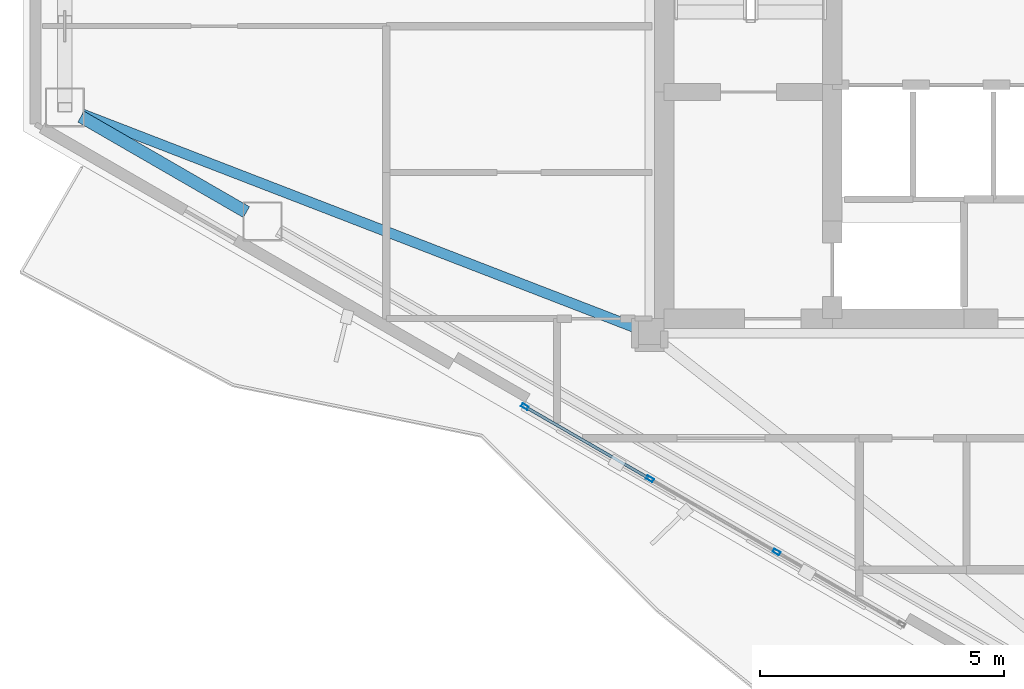
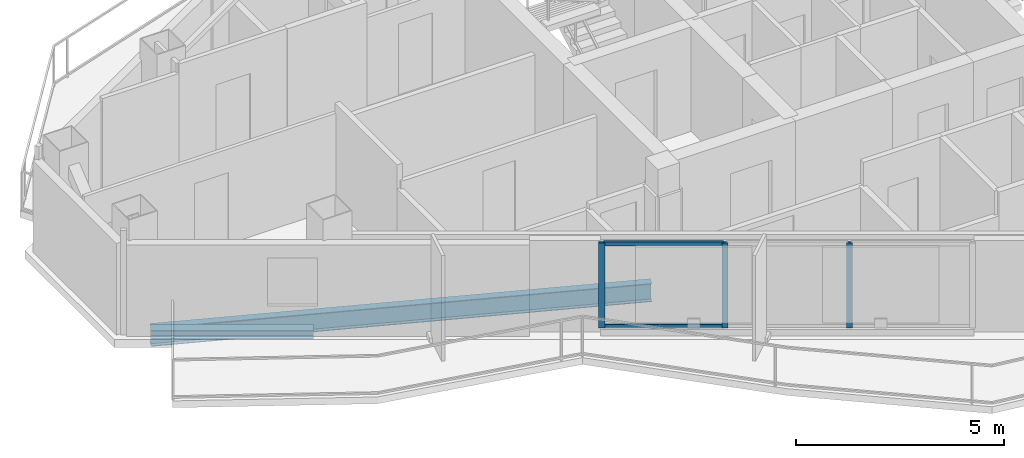
# One storey, part 2 of 22: 5 members, 2 beams, 1 element without a shape of its own.
"""IFC4 building model written with IfcOpenShell, lengths in metres."""

from ifc_helpers import new_model, si_unit, direction, frame, origin, origin_2d, place, context, subcontext, project, spatial, hollow_rectangle, i_section, extrude, material, layer, layer_set, material_profile, profile_set, type_object, element, aggregate, save


model = new_model("IFC4")

# Units and contexts
model_context = context("Model", 3, precision=1e-05, world=origin(), true_north=direction((0.0, 1.0)))
body_context = subcontext(model_context, "Body", "Model", "MODEL_VIEW")
ifc_project = project(units=[si_unit("LENGTHUNIT", "METRE"), si_unit("AREAUNIT", "SQUARE_METRE"), si_unit("VOLUMEUNIT", "CUBIC_METRE"), si_unit("PLANEANGLEUNIT", "RADIAN"), si_unit("MASSUNIT", "GRAM", prefix="KILO")], contexts=[model_context])

# Site, building, storey
site_placement = place(None, origin())
site = spatial("IfcSite", under=ifc_project, at=site_placement, CompositionType="ELEMENT")
building_placement = place(site_placement, origin())
building = spatial("IfcBuilding", under=site, at=building_placement, Name="Mersakhor Tower and Convention Hall", CompositionType="ELEMENT")
storey_placement = place(building_placement, frame((0.0, 0.0, 198.60009765625)))
storey = spatial("IfcBuildingStorey", under=building, at=storey_placement, Name="L55", CompositionType="ELEMENT", Elevation=198.60009765625)

# Beams
ifc_material_1 = material(Name="Steel S355", Category="steel")
ifc_material_profile_1 = material_profile(ifc_material_1, i_section(OverallWidth=0.2099609375, OverallDepth=0.53662109375, WebThickness=0.0107421875, FlangeThickness=0.017333984375, at=origin_2d()), Name="UB 533x210x101")
ifc_profile_set_1 = profile_set([ifc_material_profile_1], Name="Steel S355")
beam_type_1 = type_object("IfcBeamType", Name="BM-FB-533", PredefinedType="BEAM", material=ifc_profile_set_1)
beam_1_placement = place(storey_placement, frame((21.638916015625, 20.55078125, -0.498291015625), z_axis=(-0.932761425449, 0.36049427623, 0.0), x_axis=(-0.36049427623, -0.932761425449, 0.0)))
element("IfcBeam", 1, at=beam_1_placement, inside=storey, type_object=beam_type_1, Name="L55 Primary Floor Girder FG-6", PredefinedType="BEAM", context=body_context, shape_type="SweptSolid", body=[
    extrude(i_section(OverallWidth=0.2099609375, OverallDepth=0.53662109375, WebThickness=0.0107421875, FlangeThickness=0.017333984375, at=origin_2d()), origin(), (0.0, 0.0, 1.0), 12.197021484375),
])
ifc_material_2 = material(Name="Steel S355", Category="steel")
ifc_material_profile_2 = material_profile(ifc_material_2, i_section(OverallWidth=0.25634765625, OverallDepth=0.26025390625, WebThickness=0.01025390625, FlangeThickness=0.017333984375, at=origin_2d()), Name="UC 254x254x89")
ifc_profile_set_2 = profile_set([ifc_material_profile_2], Name="Steel S355")
beam_type_2 = type_object("IfcBeamType", Name="BM-SPD-UC254", PredefinedType="SPANDREL", material=ifc_profile_set_2)
beam_2_placement = place(storey_placement, frame((13.630615234375, 22.93505859375, -0.360107421875), z_axis=(-0.866007153761, 0.500031608635, 0.0), x_axis=(-0.500031608635, -0.866007153761, 0.0)))
element("IfcBeam", 2, at=beam_2_placement, inside=storey, type_object=beam_type_2, Name="L55 Perimeter Spandrel Beam SPB-11", PredefinedType="SPANDREL", context=body_context, shape_type="SweptSolid", body=[
    extrude(i_section(OverallWidth=0.25634765625, OverallDepth=0.26025390625, WebThickness=0.01025390625, FlangeThickness=0.017333984375, at=origin_2d()), origin(), (0.0, 0.0, 1.0), 3.919189453125),
])

# Curtain wall, members
ifc_material_3 = material(Name="Dark solar low-E aluminium curtain wall", Category="aluminium")
ifc_layer = layer(ifc_material_3, 0.169921875)
ifc_layer_set = layer_set([ifc_layer], Name="Dark solar low-E aluminium curtain wall")
curtain_wall_type = type_object("IfcCurtainWallType", Name="CW-SYS-02", PredefinedType="USERDEFINED", material=ifc_layer_set)
curtain_wall_placement = place(storey_placement, origin())
curtain_wall = element("IfcCurtainWall", 3, at=curtain_wall_placement, inside=storey, type_object=curtain_wall_type, Name="L55 Dark-Glass Curtain Wall F3-B2", ObjectType="CURTAIN WALL", PredefinedType="USERDEFINED")
ifc_material_4 = material(Name="Anodised aluminium EN AW-6063 T6", Category="aluminium")
ifc_material_profile_3 = material_profile(ifc_material_4, hollow_rectangle(XDim=0.074951171875, YDim=0.14990234375, WallThickness=0.00634765625, at=origin_2d()), Name="RHS 150x75x6.3")
ifc_profile_set_3 = profile_set([ifc_material_profile_3], Name="Anodised aluminium EN AW-6063 T6")
member_type_1 = type_object("IfcMemberType", Name="CWM-150x75", PredefinedType="MULLION", material=ifc_profile_set_3)
member_1_placement = place(storey_placement, frame((24.504638671875, 15.964111328125, 0.199951171875), z_axis=(0.0, 0.0, 1.0), x_axis=(-0.500007824483, -0.86602088627, 0.0)))
member_1 = element("IfcMember", 4, at=member_1_placement, type_object=member_type_1, Name="CW-02 mullion 2", PredefinedType="MULLION", context=body_context, shape_type="SweptSolid", body=[
    extrude(hollow_rectangle(XDim=0.074951171875, YDim=0.14990234375, WallThickness=0.00634765625, at=origin_2d()), origin(), (0.0, 0.0, 1.0), 2.489990234375),
])
member_2_placement = place(storey_placement, frame((21.906982421875, 17.464111328125, 0.199951171875), z_axis=(0.0, 0.0, 1.0), x_axis=(-0.500007824483, -0.86602088627, 0.0)))
member_2 = element("IfcMember", 5, at=member_2_placement, type_object=member_type_1, Name="CW-02 mullion 3", PredefinedType="MULLION", context=body_context, shape_type="SweptSolid", body=[
    extrude(hollow_rectangle(XDim=0.074951171875, YDim=0.14990234375, WallThickness=0.00634765625, at=origin_2d()), origin(), (0.0, 0.0, 1.0), 2.489990234375),
])
member_3_placement = place(storey_placement, frame((19.341796875, 18.945068359375, 0.199951171875), z_axis=(0.0, 0.0, 1.0), x_axis=(-0.500007824483, -0.86602088627, 0.0)))
member_3 = element("IfcMember", 6, at=member_3_placement, type_object=member_type_1, Name="CW-02 mullion 4", PredefinedType="MULLION", context=body_context, shape_type="SweptSolid", body=[
    extrude(hollow_rectangle(XDim=0.074951171875, YDim=0.14990234375, WallThickness=0.00634765625, at=origin_2d()), origin(), (0.0, 0.0, 1.0), 2.489990234375),
])
ifc_material_5 = material(Name="Anodised aluminium EN AW-6063 T6", Category="aluminium")
ifc_material_profile_4 = material_profile(ifc_material_5, hollow_rectangle(XDim=0.06005859375, YDim=0.1201171875, WallThickness=0.0048828125, at=origin_2d()), Name="RHS 120x60x5")
ifc_profile_set_4 = profile_set([ifc_material_profile_4], Name="Anodised aluminium EN AW-6063 T6")
member_type_2 = type_object("IfcMemberType", Name="CWT-120x60", PredefinedType="USERDEFINED", material=ifc_profile_set_4)
member_4_placement = place(storey_placement, frame((21.87451171875, 17.48291015625, 0.22998046875), z_axis=(-0.86601237176, 0.50002257145, 0.0), x_axis=(-0.50002257145, -0.86601237176, 0.0)))
member_4 = element("IfcMember", 7, at=member_4_placement, type_object=member_type_2, Name="CW-02 transom 3.1", ObjectType="TRANSOM", PredefinedType="USERDEFINED", context=body_context, shape_type="SweptSolid", body=[
    extrude(hollow_rectangle(XDim=0.06005859375, YDim=0.1201171875, WallThickness=0.0048828125, at=origin_2d()), origin(), (0.0, 0.0, 1.0), 2.886962890625),
])
member_5_placement = place(storey_placement, frame((21.87451171875, 17.48291015625, 2.659912109375), z_axis=(-0.86601237176, 0.50002257145, 0.0), x_axis=(-0.50002257145, -0.86601237176, 0.0)))
member_5 = element("IfcMember", 8, at=member_5_placement, type_object=member_type_2, Name="CW-02 transom 3.2", ObjectType="TRANSOM", PredefinedType="USERDEFINED", context=body_context, shape_type="SweptSolid", body=[
    extrude(hollow_rectangle(XDim=0.06005859375, YDim=0.1201171875, WallThickness=0.0048828125, at=origin_2d()), origin(), (0.0, 0.0, 1.0), 2.886962890625),
])
aggregate(curtain_wall, [member_1, member_2, member_3, member_4, member_5])

save(model, "model.ifc")
